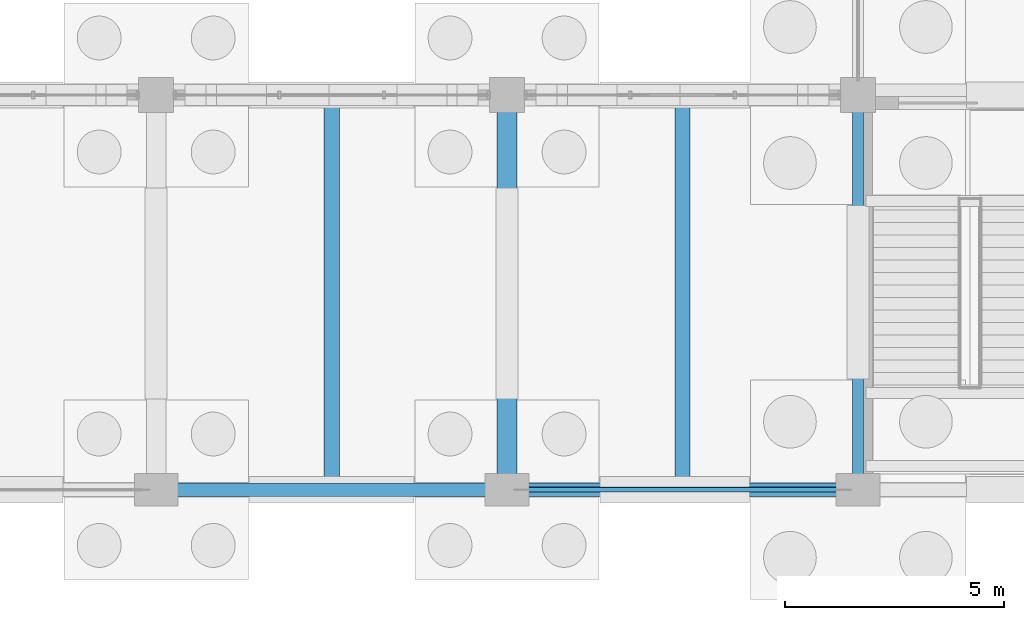
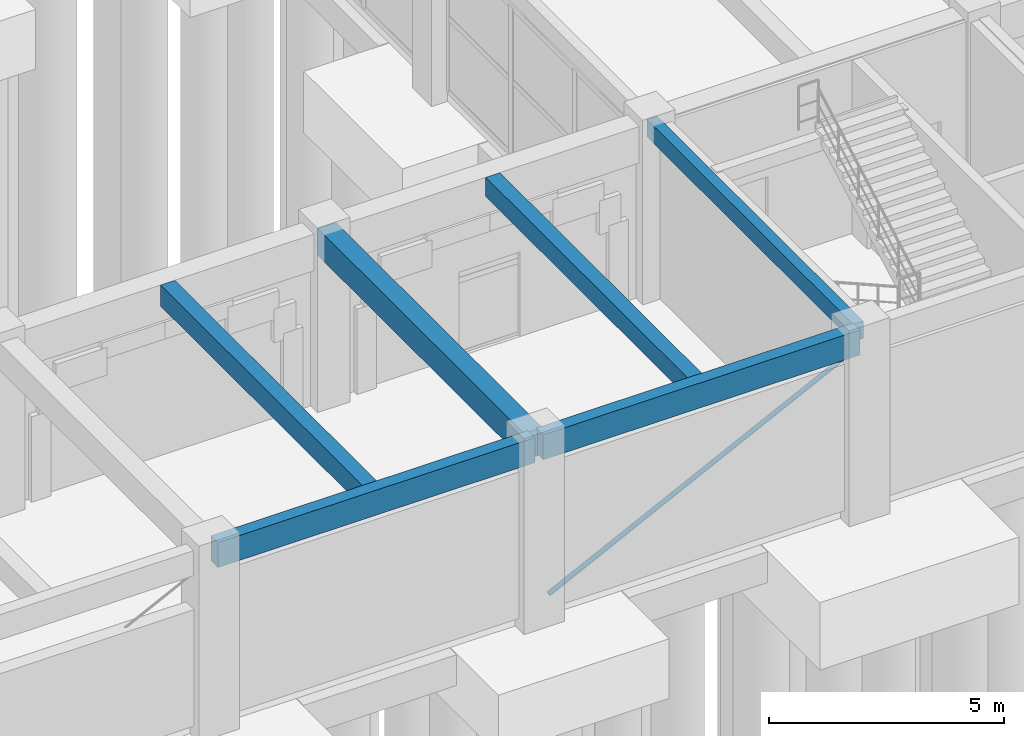
# One storey, part 71 of 147: 6 beams, 1 member.
"""IFC4 building model written with IfcOpenShell, lengths in metres."""

from ifc_helpers import new_model, si_unit, direction, frame, origin, origin_2d, place, context, subcontext, project, spatial, rectangle, hollow_circle, extrude, material, material_profile, profile_set, type_object, element, save


model = new_model("IFC4")

# Units and contexts
model_context = context("Model", 3, precision=1e-05, world=origin(), true_north=direction((0.0, 1.0)))
body_context = subcontext(model_context, "Body", "Model", "MODEL_VIEW")
ifc_project = project(units=[si_unit("LENGTHUNIT", "METRE"), si_unit("AREAUNIT", "SQUARE_METRE"), si_unit("VOLUMEUNIT", "CUBIC_METRE"), si_unit("PLANEANGLEUNIT", "RADIAN"), si_unit("MASSUNIT", "GRAM", prefix="KILO")], contexts=[model_context])

# Site, building, storey
site_placement = place(None, origin())
site = spatial("IfcSite", under=ifc_project, at=site_placement, CompositionType="ELEMENT")
building_placement = place(site_placement, origin())
building = spatial("IfcBuilding", under=site, at=building_placement, Name="Varnabhumi Central Station", CompositionType="ELEMENT")
storey_placement = place(building_placement, origin())
storey = spatial("IfcBuildingStorey", under=building, at=storey_placement, Name="L00", CompositionType="ELEMENT", Elevation=0.0)

# Beams
ifc_material_1 = material(Name="Concrete M35", Category="concrete")
ifc_material_profile_1 = material_profile(ifc_material_1, rectangle(XDim=0.25, YDim=0.449951171875, at=origin_2d()), Name="Concrete M35", Category="concrete")
ifc_profile_set_1 = profile_set([ifc_material_profile_1], Name="Concrete M35")
beam_type_1 = type_object("IfcBeamType", Name="BM-RC-250x450", PredefinedType="LINTEL", material=ifc_profile_set_1)
beam_1_placement = place(storey_placement, frame((144.0, 0.10009765625, 4.324951171875), z_axis=(0.0, 1.0, 0.0), x_axis=(-1.0, 0.0, 0.0)))
element("IfcBeam", 1, at=beam_1_placement, inside=storey, type_object=beam_type_1, Name="Beam L00-19:A-B", PredefinedType="LINTEL", context=body_context, shape_type="SweptSolid", body=[
    extrude(rectangle(XDim=0.25, YDim=0.449951171875, at=origin_2d()), origin(), (0.0, 0.0, 1.0), 8.7998046875),
])
ifc_material_2 = material(Name="Concrete M40", Category="concrete")
ifc_material_profile_2 = material_profile(ifc_material_2, rectangle(XDim=0.300048828125, YDim=0.64990234375, at=origin_2d()), Name="Concrete M40", Category="concrete")
ifc_profile_set_2 = profile_set([ifc_material_profile_2], Name="Concrete M40")
beam_type_2 = type_object("IfcBeamType", Name="BM-RC-300x650", PredefinedType="SPANDREL", material=ifc_profile_set_2)
for number, where, z_axis, x_axis, name in (
    (2, (128.10009765625, 0.0, 4.22509765625), (1.0, 0.0, 0.0), (0.0, 1.0, 0.0), "Beam L00-A:17-18"),
    (3, (136.10009765625, 0.0, 4.22509765625), (1.0, 0.0, 0.0), (0.0, 1.0, 0.0), "Beam L00-A:18-19"),
):
    element("IfcBeam", number, at=place(storey_placement, frame(where, z_axis=z_axis, x_axis=x_axis)), inside=storey, type_object=beam_type_2, Name=name, PredefinedType="SPANDREL", context=body_context, shape_type="SweptSolid", body=[
        extrude(rectangle(XDim=0.300048828125, YDim=0.64990234375, at=origin_2d()), origin(), (0.0, 0.0, 1.0), 7.7998046875),
    ])
ifc_material_profile_3 = material_profile(ifc_material_2, rectangle(XDim=0.35009765625, YDim=0.5, at=origin_2d()), Name="Concrete M40", Category="concrete")
ifc_profile_set_3 = profile_set([ifc_material_profile_3], Name="Concrete M40")
beam_type_3 = type_object("IfcBeamType", Name="BM-RC-350x500", PredefinedType="JOIST", material=ifc_profile_set_3)
beam_2_placement = place(storey_placement, frame((140.0, 0.14990234375, 4.300048828125), z_axis=(0.0, 1.0, 0.0), x_axis=(-1.0, 0.0, 0.0)))
element("IfcBeam", 4, at=beam_2_placement, inside=storey, type_object=beam_type_3, Name="Secondary Joist L00-18/19:A-B", PredefinedType="JOIST", context=body_context, shape_type="SweptSolid", body=[
    extrude(rectangle(XDim=0.35009765625, YDim=0.5, at=origin_2d()), origin(), (0.0, 0.0, 1.0), 8.60009765625),
])
ifc_material_profile_4 = material_profile(ifc_material_2, rectangle(XDim=0.35009765625, YDim=0.550048828125, at=origin_2d()), Name="Concrete M40", Category="concrete")
ifc_profile_set_4 = profile_set([ifc_material_profile_4], Name="Concrete M40")
beam_type_4 = type_object("IfcBeamType", Name="BM-RC-350x550", PredefinedType="JOIST", material=ifc_profile_set_4)
beam_3_placement = place(storey_placement, frame((132.0, 0.14990234375, 4.27490234375), z_axis=(0.0, 1.0, 0.0), x_axis=(-1.0, 0.0, 0.0)))
element("IfcBeam", 5, at=beam_3_placement, inside=storey, type_object=beam_type_4, Name="Secondary Joist L00-17/18:A-B", PredefinedType="JOIST", context=body_context, shape_type="SweptSolid", body=[
    extrude(rectangle(XDim=0.35009765625, YDim=0.550048828125, at=origin_2d()), origin(), (0.0, 0.0, 1.0), 8.60009765625),
])
ifc_material_profile_5 = material_profile(ifc_material_2, rectangle(XDim=0.449951171875, YDim=0.699951171875, at=origin_2d()), Name="Concrete M40", Category="concrete")
ifc_profile_set_5 = profile_set([ifc_material_profile_5], Name="Concrete M40")
beam_type_5 = type_object("IfcBeamType", Name="BM-RC-450x700", PredefinedType="BEAM", material=ifc_profile_set_5)
beam_4_placement = place(storey_placement, frame((136.0, 0.10009765625, 4.199951171875), z_axis=(0.0, 1.0, 0.0), x_axis=(-1.0, 0.0, 0.0)))
element("IfcBeam", 6, at=beam_4_placement, inside=storey, type_object=beam_type_5, Name="Beam L00-18:A-B", PredefinedType="BEAM", context=body_context, shape_type="SweptSolid", body=[
    extrude(rectangle(XDim=0.449951171875, YDim=0.699951171875, at=origin_2d()), origin(), (0.0, 0.0, 1.0), 8.7998046875),
])

# Member
ifc_material_3 = material(Name="Spiral-strand steel S1570", Category="steel")
ifc_material_profile_6 = material_profile(ifc_material_3, hollow_circle(Radius=0.05712890625, WallThickness=0.011962890625, at=origin_2d()), Name="Spiral-strand steel S1570", Category="steel")
ifc_profile_set_6 = profile_set([ifc_material_profile_6], Name="Spiral-strand steel S1570")
member_type = type_object("IfcMemberType", Name="MBR-CABLE-114", PredefinedType="BRACE", material=ifc_profile_set_6)
member_placement = place(storey_placement, frame((136.320068359375, 0.0, 0.25), z_axis=(0.895884545566, 0.0, 0.444286935455), x_axis=(0.0, 1.0, 0.0)))
element("IfcMember", 7, at=member_placement, inside=storey, type_object=member_type, Name="Lateral Frame Brace WB-14", PredefinedType="BRACE", context=body_context, shape_type="SweptSolid", body=[
    extrude(hollow_circle(Radius=0.05712890625, WallThickness=0.011962890625, at=origin_2d()), origin(), (0.0, 0.0, 1.0), 8.215087890625),
])

save(model, "model.ifc")
